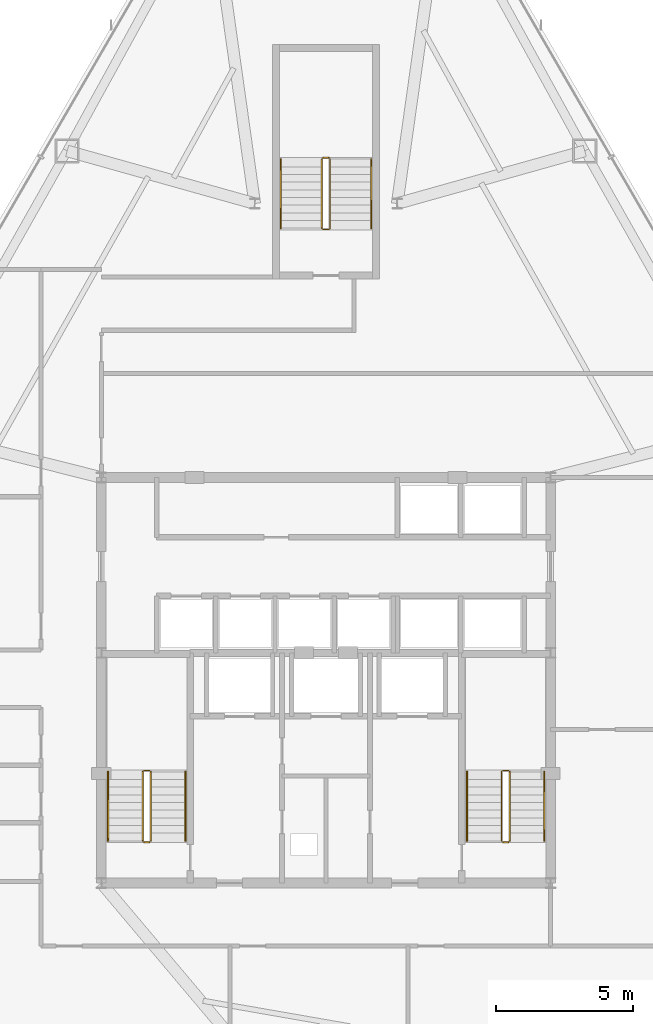
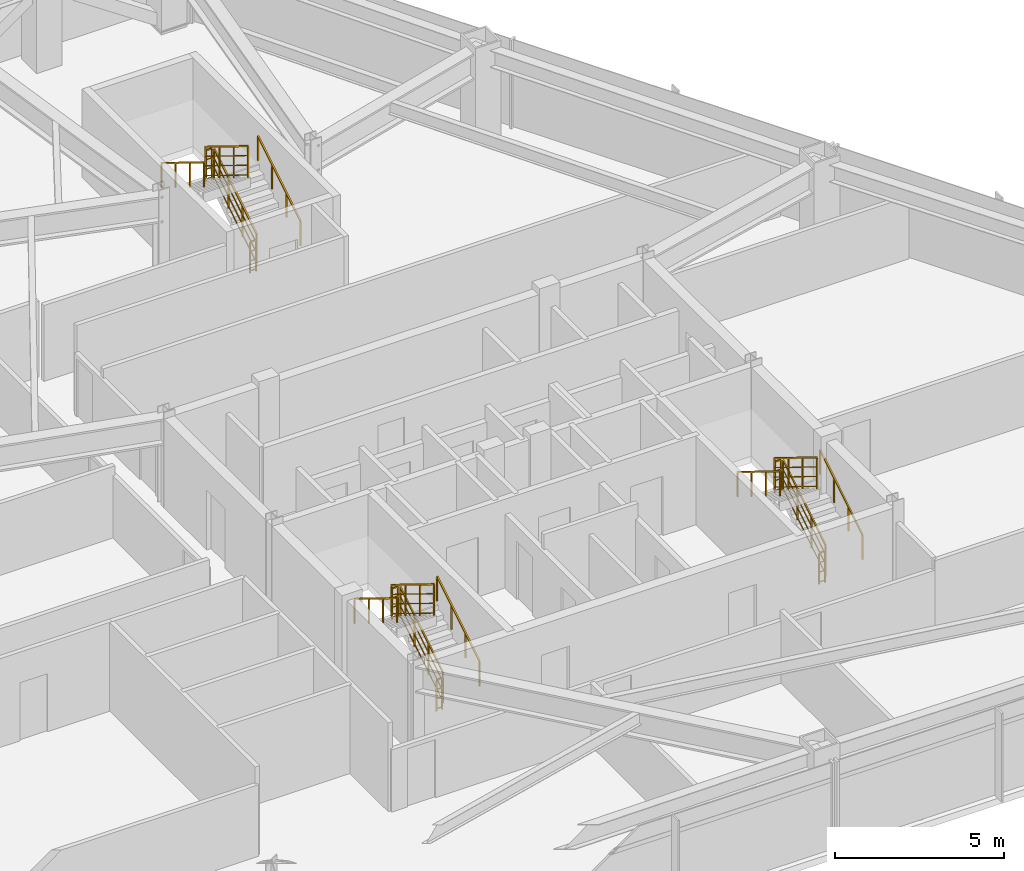
# One storey, part 12 of 12: 18 railings.
"""IFC4 building model written with IfcOpenShell, lengths in metres."""

from ifc_helpers import new_model, si_unit, direction, frame, origin, origin_2d, place, context, subcontext, project, spatial, rectangle, extrude, material, type_object, element, save


model = new_model("IFC4")

# Units and contexts
model_context = context("Model", 3, precision=1e-05, world=origin(), true_north=direction((0.0, 1.0)))
body_context = subcontext(model_context, "Body", "Model", "MODEL_VIEW")
ifc_project = project(units=[si_unit("LENGTHUNIT", "METRE"), si_unit("AREAUNIT", "SQUARE_METRE"), si_unit("VOLUMEUNIT", "CUBIC_METRE"), si_unit("PLANEANGLEUNIT", "RADIAN"), si_unit("MASSUNIT", "GRAM", prefix="KILO")], contexts=[model_context])

# Site, building, storey
site_placement = place(None, origin())
site = spatial("IfcSite", under=ifc_project, at=site_placement, CompositionType="ELEMENT")
building_placement = place(site_placement, origin())
building = spatial("IfcBuilding", under=site, at=building_placement, Name="Varakhsha Concourse Tower", CompositionType="ELEMENT")
storey_placement = place(building_placement, frame((0.0, 0.0, 119.449951171875)))
storey = spatial("IfcBuildingStorey", under=building, at=storey_placement, Name="L34", CompositionType="ELEMENT", Elevation=119.449951171875)

# Railings
ifc_material = material(Name="Brushed Austenitic Stainless Steel AISI 316", Category="steel")
railing_type_1 = type_object("IfcRailingType", Name="RL-STAIR-GUARD-1100", PredefinedType="GUARDRAIL", material=ifc_material)
railing_1_placement = place(storey_placement, frame((33.610107421875, 17.93994140625, 0.172607421875)))
element("IfcRailing", 1, at=railing_1_placement, inside=storey, type_object=railing_type_1, Name="L34 ST1 stair guard 1", PredefinedType="GUARDRAIL", context=body_context, shape_type="SweptSolid", body=[
    extrude(rectangle(XDim=0.048095703125, YDim=0.048095703125, at=origin_2d()), frame((0.0, 0.0, 1.1259765625), z_axis=(0.0, 0.851400495292, 0.524516154772), x_axis=(-1.0, 0.0, 0.0)), (0.0, 0.0, 1.0), 2.9599609375),
    extrude(rectangle(XDim=0.028076171875, YDim=0.028076171875, at=origin_2d()), frame((0.0, 0.0, 0.080078125), z_axis=(0.0, 0.851400495292, 0.524516154772), x_axis=(-1.0, 0.0, 0.0)), (0.0, 0.0, 1.0), 2.9599609375),
    extrude(rectangle(XDim=0.028076171875, YDim=0.028076171875, at=origin_2d()), frame((0.0, 0.0, 0.43701171875), z_axis=(0.0, 0.851400495292, 0.524516154772), x_axis=(-1.0, 0.0, 0.0)), (0.0, 0.0, 1.0), 2.9599609375),
    extrude(rectangle(XDim=0.028076171875, YDim=0.028076171875, at=origin_2d()), frame((0.0, 0.0, 0.781982421875), z_axis=(0.0, 0.851400495292, 0.524516154772), x_axis=(-1.0, 0.0, 0.0)), (0.0, 0.0, 1.0), 2.9599609375),
    extrude(rectangle(XDim=0.0419921875, YDim=0.0419921875, at=origin_2d()), origin(), (0.0, 0.0, 1.0), 1.101806640625),
    extrude(rectangle(XDim=0.0419921875, YDim=0.0419921875, at=origin_2d()), frame((0.0, 0.840087890625, 0.517578125)), (0.0, 0.0, 1.0), 1.101806640625),
    extrude(rectangle(XDim=0.0419921875, YDim=0.0419921875, at=origin_2d()), frame((0.0, 1.679931640625, 1.034912109375)), (0.0, 0.0, 1.0), 1.101806640625),
    extrude(rectangle(XDim=0.0419921875, YDim=0.0419921875, at=origin_2d()), frame((0.0, 2.52001953125, 1.552490234375)), (0.0, 0.0, 1.0), 1.101806640625),
])
railing_2_placement = place(storey_placement, frame((33.56005859375, 20.510009765625, 1.72509765625)))
element("IfcRailing", 2, at=railing_2_placement, inside=storey, type_object=railing_type_1, Name="L34 ST1 stair guard 2", PredefinedType="GUARDRAIL", context=body_context, shape_type="SweptSolid", body=[
    extrude(rectangle(XDim=0.048095703125, YDim=0.048095703125, at=origin_2d()), frame((0.0, 0.0, 1.1259765625), z_axis=(-1.0, 0.0, 0.0), x_axis=(0.0, -1.0, 0.0)), (0.0, 0.0, 1.0), 0.199951171875),
    extrude(rectangle(XDim=0.028076171875, YDim=0.028076171875, at=origin_2d()), frame((0.0, 0.0, 0.080078125), z_axis=(-1.0, 0.0, 0.0), x_axis=(0.0, -1.0, 0.0)), (0.0, 0.0, 1.0), 0.199951171875),
    extrude(rectangle(XDim=0.028076171875, YDim=0.028076171875, at=origin_2d()), frame((0.0, 0.0, 0.43701171875), z_axis=(-1.0, 0.0, 0.0), x_axis=(0.0, -1.0, 0.0)), (0.0, 0.0, 1.0), 0.199951171875),
    extrude(rectangle(XDim=0.028076171875, YDim=0.028076171875, at=origin_2d()), frame((0.0, 0.0, 0.781982421875), z_axis=(-1.0, 0.0, 0.0), x_axis=(0.0, -1.0, 0.0)), (0.0, 0.0, 1.0), 0.199951171875),
    extrude(rectangle(XDim=0.0419921875, YDim=0.0419921875, at=origin_2d()), origin(), (0.0, 0.0, 1.0), 1.101806640625),
    extrude(rectangle(XDim=0.0419921875, YDim=0.0419921875, at=origin_2d()), frame((-0.199951171875, 0.0, 0.0)), (0.0, 0.0, 1.0), 1.101806640625),
])
railing_3_placement = place(storey_placement, frame((33.31005859375, 20.4599609375, 1.8974609375)))
element("IfcRailing", 3, at=railing_3_placement, inside=storey, type_object=railing_type_1, Name="L34 ST1 stair guard 3", PredefinedType="GUARDRAIL", context=body_context, shape_type="SweptSolid", body=[
    extrude(rectangle(XDim=0.048095703125, YDim=0.048095703125, at=origin_2d()), frame((0.0, 0.0, 1.1259765625), z_axis=(0.0, -0.851400495292, 0.524516154772), x_axis=(1.0, 0.0, 0.0)), (0.0, 0.0, 1.0), 2.9599609375),
    extrude(rectangle(XDim=0.028076171875, YDim=0.028076171875, at=origin_2d()), frame((0.0, 0.0, 0.080078125), z_axis=(0.0, -0.851400495292, 0.524516154772), x_axis=(1.0, 0.0, 0.0)), (0.0, 0.0, 1.0), 2.9599609375),
    extrude(rectangle(XDim=0.028076171875, YDim=0.028076171875, at=origin_2d()), frame((0.0, 0.0, 0.43701171875), z_axis=(0.0, -0.851400495292, 0.524516154772), x_axis=(1.0, 0.0, 0.0)), (0.0, 0.0, 1.0), 2.9599609375),
    extrude(rectangle(XDim=0.028076171875, YDim=0.028076171875, at=origin_2d()), frame((0.0, 0.0, 0.781982421875), z_axis=(0.0, -0.851400495292, 0.524516154772), x_axis=(1.0, 0.0, 0.0)), (0.0, 0.0, 1.0), 2.9599609375),
    extrude(rectangle(XDim=0.0419921875, YDim=0.0419921875, at=origin_2d()), origin(), (0.0, 0.0, 1.0), 1.101806640625),
    extrude(rectangle(XDim=0.0419921875, YDim=0.0419921875, at=origin_2d()), frame((0.0, -0.840087890625, 0.517578125)), (0.0, 0.0, 1.0), 1.101806640625),
    extrude(rectangle(XDim=0.0419921875, YDim=0.0419921875, at=origin_2d()), frame((0.0, -1.679931640625, 1.034912109375)), (0.0, 0.0, 1.0), 1.101806640625),
    extrude(rectangle(XDim=0.0419921875, YDim=0.0419921875, at=origin_2d()), frame((0.0, -2.52001953125, 1.552490234375)), (0.0, 0.0, 1.0), 1.101806640625),
])
railing_4_placement = place(storey_placement, frame((33.56005859375, 17.889892578125, 0.0)))
element("IfcRailing", 4, at=railing_4_placement, inside=storey, type_object=railing_type_1, Name="L34 ST1 stair guard 4", PredefinedType="GUARDRAIL", context=body_context, shape_type="SweptSolid", body=[
    extrude(rectangle(XDim=0.048095703125, YDim=0.048095703125, at=origin_2d()), frame((0.0, 0.0, 1.1259765625), z_axis=(-1.0, 0.0, 0.0), x_axis=(0.0, -1.0, 0.0)), (0.0, 0.0, 1.0), 0.199951171875),
    extrude(rectangle(XDim=0.028076171875, YDim=0.028076171875, at=origin_2d()), frame((0.0, 0.0, 0.080078125), z_axis=(-1.0, 0.0, 0.0), x_axis=(0.0, -1.0, 0.0)), (0.0, 0.0, 1.0), 0.199951171875),
    extrude(rectangle(XDim=0.028076171875, YDim=0.028076171875, at=origin_2d()), frame((0.0, 0.0, 0.43701171875), z_axis=(-1.0, 0.0, 0.0), x_axis=(0.0, -1.0, 0.0)), (0.0, 0.0, 1.0), 0.199951171875),
    extrude(rectangle(XDim=0.028076171875, YDim=0.028076171875, at=origin_2d()), frame((0.0, 0.0, 0.781982421875), z_axis=(-1.0, 0.0, 0.0), x_axis=(0.0, -1.0, 0.0)), (0.0, 0.0, 1.0), 0.199951171875),
    extrude(rectangle(XDim=0.0419921875, YDim=0.0419921875, at=origin_2d()), origin(), (0.0, 0.0, 1.0), 1.101806640625),
    extrude(rectangle(XDim=0.0419921875, YDim=0.0419921875, at=origin_2d()), frame((-0.199951171875, 0.0, 0.0)), (0.0, 0.0, 1.0), 1.101806640625),
])
railing_5_placement = place(storey_placement, frame((46.7099609375, 17.93994140625, 0.172607421875)))
element("IfcRailing", 5, at=railing_5_placement, inside=storey, type_object=railing_type_1, Name="L34 ST2 stair guard 1", PredefinedType="GUARDRAIL", context=body_context, shape_type="SweptSolid", body=[
    extrude(rectangle(XDim=0.048095703125, YDim=0.048095703125, at=origin_2d()), frame((0.0, 0.0, 1.1259765625), z_axis=(0.0, 0.851400495292, 0.524516154772), x_axis=(-1.0, 0.0, 0.0)), (0.0, 0.0, 1.0), 2.9599609375),
    extrude(rectangle(XDim=0.028076171875, YDim=0.028076171875, at=origin_2d()), frame((0.0, 0.0, 0.080078125), z_axis=(0.0, 0.851400495292, 0.524516154772), x_axis=(-1.0, 0.0, 0.0)), (0.0, 0.0, 1.0), 2.9599609375),
    extrude(rectangle(XDim=0.028076171875, YDim=0.028076171875, at=origin_2d()), frame((0.0, 0.0, 0.43701171875), z_axis=(0.0, 0.851400495292, 0.524516154772), x_axis=(-1.0, 0.0, 0.0)), (0.0, 0.0, 1.0), 2.9599609375),
    extrude(rectangle(XDim=0.028076171875, YDim=0.028076171875, at=origin_2d()), frame((0.0, 0.0, 0.781982421875), z_axis=(0.0, 0.851400495292, 0.524516154772), x_axis=(-1.0, 0.0, 0.0)), (0.0, 0.0, 1.0), 2.9599609375),
    extrude(rectangle(XDim=0.0419921875, YDim=0.0419921875, at=origin_2d()), origin(), (0.0, 0.0, 1.0), 1.101806640625),
    extrude(rectangle(XDim=0.0419921875, YDim=0.0419921875, at=origin_2d()), frame((0.0, 0.840087890625, 0.517578125)), (0.0, 0.0, 1.0), 1.101806640625),
    extrude(rectangle(XDim=0.0419921875, YDim=0.0419921875, at=origin_2d()), frame((0.0, 1.679931640625, 1.034912109375)), (0.0, 0.0, 1.0), 1.101806640625),
    extrude(rectangle(XDim=0.0419921875, YDim=0.0419921875, at=origin_2d()), frame((0.0, 2.52001953125, 1.552490234375)), (0.0, 0.0, 1.0), 1.101806640625),
])
railing_6_placement = place(storey_placement, frame((46.659912109375, 20.510009765625, 1.72509765625)))
element("IfcRailing", 6, at=railing_6_placement, inside=storey, type_object=railing_type_1, Name="L34 ST2 stair guard 2", PredefinedType="GUARDRAIL", context=body_context, shape_type="SweptSolid", body=[
    extrude(rectangle(XDim=0.048095703125, YDim=0.048095703125, at=origin_2d()), frame((0.0, 0.0, 1.1259765625), z_axis=(-1.0, 0.0, 0.0), x_axis=(0.0, -1.0, 0.0)), (0.0, 0.0, 1.0), 0.199951171875),
    extrude(rectangle(XDim=0.028076171875, YDim=0.028076171875, at=origin_2d()), frame((0.0, 0.0, 0.080078125), z_axis=(-1.0, 0.0, 0.0), x_axis=(0.0, -1.0, 0.0)), (0.0, 0.0, 1.0), 0.199951171875),
    extrude(rectangle(XDim=0.028076171875, YDim=0.028076171875, at=origin_2d()), frame((0.0, 0.0, 0.43701171875), z_axis=(-1.0, 0.0, 0.0), x_axis=(0.0, -1.0, 0.0)), (0.0, 0.0, 1.0), 0.199951171875),
    extrude(rectangle(XDim=0.028076171875, YDim=0.028076171875, at=origin_2d()), frame((0.0, 0.0, 0.781982421875), z_axis=(-1.0, 0.0, 0.0), x_axis=(0.0, -1.0, 0.0)), (0.0, 0.0, 1.0), 0.199951171875),
    extrude(rectangle(XDim=0.0419921875, YDim=0.0419921875, at=origin_2d()), origin(), (0.0, 0.0, 1.0), 1.101806640625),
    extrude(rectangle(XDim=0.0419921875, YDim=0.0419921875, at=origin_2d()), frame((-0.199951171875, 0.0, 0.0)), (0.0, 0.0, 1.0), 1.101806640625),
])
railing_7_placement = place(storey_placement, frame((46.409912109375, 20.4599609375, 1.8974609375)))
element("IfcRailing", 7, at=railing_7_placement, inside=storey, type_object=railing_type_1, Name="L34 ST2 stair guard 3", PredefinedType="GUARDRAIL", context=body_context, shape_type="SweptSolid", body=[
    extrude(rectangle(XDim=0.048095703125, YDim=0.048095703125, at=origin_2d()), frame((0.0, 0.0, 1.1259765625), z_axis=(0.0, -0.851400495292, 0.524516154772), x_axis=(1.0, 0.0, 0.0)), (0.0, 0.0, 1.0), 2.9599609375),
    extrude(rectangle(XDim=0.028076171875, YDim=0.028076171875, at=origin_2d()), frame((0.0, 0.0, 0.080078125), z_axis=(0.0, -0.851400495292, 0.524516154772), x_axis=(1.0, 0.0, 0.0)), (0.0, 0.0, 1.0), 2.9599609375),
    extrude(rectangle(XDim=0.028076171875, YDim=0.028076171875, at=origin_2d()), frame((0.0, 0.0, 0.43701171875), z_axis=(0.0, -0.851400495292, 0.524516154772), x_axis=(1.0, 0.0, 0.0)), (0.0, 0.0, 1.0), 2.9599609375),
    extrude(rectangle(XDim=0.028076171875, YDim=0.028076171875, at=origin_2d()), frame((0.0, 0.0, 0.781982421875), z_axis=(0.0, -0.851400495292, 0.524516154772), x_axis=(1.0, 0.0, 0.0)), (0.0, 0.0, 1.0), 2.9599609375),
    extrude(rectangle(XDim=0.0419921875, YDim=0.0419921875, at=origin_2d()), origin(), (0.0, 0.0, 1.0), 1.101806640625),
    extrude(rectangle(XDim=0.0419921875, YDim=0.0419921875, at=origin_2d()), frame((0.0, -0.840087890625, 0.517578125)), (0.0, 0.0, 1.0), 1.101806640625),
    extrude(rectangle(XDim=0.0419921875, YDim=0.0419921875, at=origin_2d()), frame((0.0, -1.679931640625, 1.034912109375)), (0.0, 0.0, 1.0), 1.101806640625),
    extrude(rectangle(XDim=0.0419921875, YDim=0.0419921875, at=origin_2d()), frame((0.0, -2.52001953125, 1.552490234375)), (0.0, 0.0, 1.0), 1.101806640625),
])
railing_8_placement = place(storey_placement, frame((46.659912109375, 17.889892578125, 0.0)))
element("IfcRailing", 8, at=railing_8_placement, inside=storey, type_object=railing_type_1, Name="L34 ST2 stair guard 4", PredefinedType="GUARDRAIL", context=body_context, shape_type="SweptSolid", body=[
    extrude(rectangle(XDim=0.048095703125, YDim=0.048095703125, at=origin_2d()), frame((0.0, 0.0, 1.1259765625), z_axis=(-1.0, 0.0, 0.0), x_axis=(0.0, -1.0, 0.0)), (0.0, 0.0, 1.0), 0.199951171875),
    extrude(rectangle(XDim=0.028076171875, YDim=0.028076171875, at=origin_2d()), frame((0.0, 0.0, 0.080078125), z_axis=(-1.0, 0.0, 0.0), x_axis=(0.0, -1.0, 0.0)), (0.0, 0.0, 1.0), 0.199951171875),
    extrude(rectangle(XDim=0.028076171875, YDim=0.028076171875, at=origin_2d()), frame((0.0, 0.0, 0.43701171875), z_axis=(-1.0, 0.0, 0.0), x_axis=(0.0, -1.0, 0.0)), (0.0, 0.0, 1.0), 0.199951171875),
    extrude(rectangle(XDim=0.028076171875, YDim=0.028076171875, at=origin_2d()), frame((0.0, 0.0, 0.781982421875), z_axis=(-1.0, 0.0, 0.0), x_axis=(0.0, -1.0, 0.0)), (0.0, 0.0, 1.0), 0.199951171875),
    extrude(rectangle(XDim=0.0419921875, YDim=0.0419921875, at=origin_2d()), origin(), (0.0, 0.0, 1.0), 1.101806640625),
    extrude(rectangle(XDim=0.0419921875, YDim=0.0419921875, at=origin_2d()), frame((-0.199951171875, 0.0, 0.0)), (0.0, 0.0, 1.0), 1.101806640625),
])
railing_9_placement = place(storey_placement, frame((40.14990234375, 40.300048828125, 0.172607421875)))
element("IfcRailing", 9, at=railing_9_placement, inside=storey, type_object=railing_type_1, Name="L34 ST5 stair guard 1", PredefinedType="GUARDRAIL", context=body_context, shape_type="SweptSolid", body=[
    extrude(rectangle(XDim=0.048095703125, YDim=0.048095703125, at=origin_2d()), frame((0.0, 0.0, 1.1259765625), z_axis=(0.0, 0.851400495292, 0.524516154772), x_axis=(-1.0, 0.0, 0.0)), (0.0, 0.0, 1.0), 2.9599609375),
    extrude(rectangle(XDim=0.028076171875, YDim=0.028076171875, at=origin_2d()), frame((0.0, 0.0, 0.080078125), z_axis=(0.0, 0.851400495292, 0.524516154772), x_axis=(-1.0, 0.0, 0.0)), (0.0, 0.0, 1.0), 2.9599609375),
    extrude(rectangle(XDim=0.028076171875, YDim=0.028076171875, at=origin_2d()), frame((0.0, 0.0, 0.43701171875), z_axis=(0.0, 0.851400495292, 0.524516154772), x_axis=(-1.0, 0.0, 0.0)), (0.0, 0.0, 1.0), 2.9599609375),
    extrude(rectangle(XDim=0.028076171875, YDim=0.028076171875, at=origin_2d()), frame((0.0, 0.0, 0.781982421875), z_axis=(0.0, 0.851400495292, 0.524516154772), x_axis=(-1.0, 0.0, 0.0)), (0.0, 0.0, 1.0), 2.9599609375),
    extrude(rectangle(XDim=0.0419921875, YDim=0.0419921875, at=origin_2d()), origin(), (0.0, 0.0, 1.0), 1.101806640625),
    extrude(rectangle(XDim=0.0419921875, YDim=0.0419921875, at=origin_2d()), frame((0.0, 0.840087890625, 0.517578125)), (0.0, 0.0, 1.0), 1.101806640625),
    extrude(rectangle(XDim=0.0419921875, YDim=0.0419921875, at=origin_2d()), frame((0.0, 1.679931640625, 1.034912109375)), (0.0, 0.0, 1.0), 1.101806640625),
    extrude(rectangle(XDim=0.0419921875, YDim=0.0419921875, at=origin_2d()), frame((0.0, 2.52001953125, 1.552490234375)), (0.0, 0.0, 1.0), 1.101806640625),
])
railing_10_placement = place(storey_placement, frame((40.10009765625, 42.8701171875, 1.72509765625)))
element("IfcRailing", 10, at=railing_10_placement, inside=storey, type_object=railing_type_1, Name="L34 ST5 stair guard 2", PredefinedType="GUARDRAIL", context=body_context, shape_type="SweptSolid", body=[
    extrude(rectangle(XDim=0.048095703125, YDim=0.048095703125, at=origin_2d()), frame((0.0, 0.0, 1.1259765625), z_axis=(-1.0, 0.0, 0.0), x_axis=(0.0, -1.0, 0.0)), (0.0, 0.0, 1.0), 0.2001953125),
    extrude(rectangle(XDim=0.028076171875, YDim=0.028076171875, at=origin_2d()), frame((0.0, 0.0, 0.080078125), z_axis=(-1.0, 0.0, 0.0), x_axis=(0.0, -1.0, 0.0)), (0.0, 0.0, 1.0), 0.2001953125),
    extrude(rectangle(XDim=0.028076171875, YDim=0.028076171875, at=origin_2d()), frame((0.0, 0.0, 0.43701171875), z_axis=(-1.0, 0.0, 0.0), x_axis=(0.0, -1.0, 0.0)), (0.0, 0.0, 1.0), 0.2001953125),
    extrude(rectangle(XDim=0.028076171875, YDim=0.028076171875, at=origin_2d()), frame((0.0, 0.0, 0.781982421875), z_axis=(-1.0, 0.0, 0.0), x_axis=(0.0, -1.0, 0.0)), (0.0, 0.0, 1.0), 0.2001953125),
    extrude(rectangle(XDim=0.0419921875, YDim=0.0419921875, at=origin_2d()), origin(), (0.0, 0.0, 1.0), 1.101806640625),
    extrude(rectangle(XDim=0.0419921875, YDim=0.0419921875, at=origin_2d()), frame((-0.2001953125, 0.0, 0.0)), (0.0, 0.0, 1.0), 1.101806640625),
])
railing_11_placement = place(storey_placement, frame((39.85009765625, 42.820068359375, 1.8974609375)))
element("IfcRailing", 11, at=railing_11_placement, inside=storey, type_object=railing_type_1, Name="L34 ST5 stair guard 3", PredefinedType="GUARDRAIL", context=body_context, shape_type="SweptSolid", body=[
    extrude(rectangle(XDim=0.048095703125, YDim=0.048095703125, at=origin_2d()), frame((0.0, 0.0, 1.1259765625), z_axis=(0.0, -0.851400495292, 0.524516154772), x_axis=(1.0, 0.0, 0.0)), (0.0, 0.0, 1.0), 2.9599609375),
    extrude(rectangle(XDim=0.028076171875, YDim=0.028076171875, at=origin_2d()), frame((0.0, 0.0, 0.080078125), z_axis=(0.0, -0.851400495292, 0.524516154772), x_axis=(1.0, 0.0, 0.0)), (0.0, 0.0, 1.0), 2.9599609375),
    extrude(rectangle(XDim=0.028076171875, YDim=0.028076171875, at=origin_2d()), frame((0.0, 0.0, 0.43701171875), z_axis=(0.0, -0.851400495292, 0.524516154772), x_axis=(1.0, 0.0, 0.0)), (0.0, 0.0, 1.0), 2.9599609375),
    extrude(rectangle(XDim=0.028076171875, YDim=0.028076171875, at=origin_2d()), frame((0.0, 0.0, 0.781982421875), z_axis=(0.0, -0.851400495292, 0.524516154772), x_axis=(1.0, 0.0, 0.0)), (0.0, 0.0, 1.0), 2.9599609375),
    extrude(rectangle(XDim=0.0419921875, YDim=0.0419921875, at=origin_2d()), origin(), (0.0, 0.0, 1.0), 1.101806640625),
    extrude(rectangle(XDim=0.0419921875, YDim=0.0419921875, at=origin_2d()), frame((0.0, -0.840087890625, 0.517578125)), (0.0, 0.0, 1.0), 1.101806640625),
    extrude(rectangle(XDim=0.0419921875, YDim=0.0419921875, at=origin_2d()), frame((0.0, -1.679931640625, 1.034912109375)), (0.0, 0.0, 1.0), 1.101806640625),
    extrude(rectangle(XDim=0.0419921875, YDim=0.0419921875, at=origin_2d()), frame((0.0, -2.52001953125, 1.552490234375)), (0.0, 0.0, 1.0), 1.101806640625),
])
railing_12_placement = place(storey_placement, frame((40.10009765625, 40.25, 0.0)))
element("IfcRailing", 12, at=railing_12_placement, inside=storey, type_object=railing_type_1, Name="L34 ST5 stair guard 4", PredefinedType="GUARDRAIL", context=body_context, shape_type="SweptSolid", body=[
    extrude(rectangle(XDim=0.048095703125, YDim=0.048095703125, at=origin_2d()), frame((0.0, 0.0, 1.1259765625), z_axis=(-1.0, 0.0, 0.0), x_axis=(0.0, -1.0, 0.0)), (0.0, 0.0, 1.0), 0.2001953125),
    extrude(rectangle(XDim=0.028076171875, YDim=0.028076171875, at=origin_2d()), frame((0.0, 0.0, 0.080078125), z_axis=(-1.0, 0.0, 0.0), x_axis=(0.0, -1.0, 0.0)), (0.0, 0.0, 1.0), 0.2001953125),
    extrude(rectangle(XDim=0.028076171875, YDim=0.028076171875, at=origin_2d()), frame((0.0, 0.0, 0.43701171875), z_axis=(-1.0, 0.0, 0.0), x_axis=(0.0, -1.0, 0.0)), (0.0, 0.0, 1.0), 0.2001953125),
    extrude(rectangle(XDim=0.028076171875, YDim=0.028076171875, at=origin_2d()), frame((0.0, 0.0, 0.781982421875), z_axis=(-1.0, 0.0, 0.0), x_axis=(0.0, -1.0, 0.0)), (0.0, 0.0, 1.0), 0.2001953125),
    extrude(rectangle(XDim=0.0419921875, YDim=0.0419921875, at=origin_2d()), origin(), (0.0, 0.0, 1.0), 1.101806640625),
    extrude(rectangle(XDim=0.0419921875, YDim=0.0419921875, at=origin_2d()), frame((-0.2001953125, 0.0, 0.0)), (0.0, 0.0, 1.0), 1.101806640625),
])
railing_type_2 = type_object("IfcRailingType", Name="RL-STAIR-RAIL-915", PredefinedType="HANDRAIL", material=ifc_material)
railing_13_placement = place(storey_placement, frame((34.8701171875, 17.93994140625, 0.344970703125)))
element("IfcRailing", 13, at=railing_13_placement, inside=storey, type_object=railing_type_2, Name="L34 ST1 stair handrail 1", PredefinedType="HANDRAIL", context=body_context, shape_type="SweptSolid", body=[
    extrude(rectangle(XDim=0.048095703125, YDim=0.048095703125, at=origin_2d()), frame((0.0, 0.0, 0.89111328125), z_axis=(0.0, 0.851400495292, 0.524516154772), x_axis=(-1.0, 0.0, 0.0)), (0.0, 0.0, 1.0), 2.9599609375),
    extrude(rectangle(XDim=0.0419921875, YDim=0.0419921875, at=origin_2d()), origin(), (0.0, 0.0, 1.0), 0.866943359375),
    extrude(rectangle(XDim=0.0419921875, YDim=0.0419921875, at=origin_2d()), frame((0.0, 0.840087890625, 0.517578125)), (0.0, 0.0, 1.0), 0.866943359375),
    extrude(rectangle(XDim=0.0419921875, YDim=0.0419921875, at=origin_2d()), frame((0.0, 1.679931640625, 1.034912109375)), (0.0, 0.0, 1.0), 0.866943359375),
    extrude(rectangle(XDim=0.0419921875, YDim=0.0419921875, at=origin_2d()), frame((0.0, 2.52001953125, 1.552490234375)), (0.0, 0.0, 1.0), 0.866943359375),
])
railing_14_placement = place(storey_placement, frame((32.050048828125, 20.4599609375, 2.070068359375)))
element("IfcRailing", 14, at=railing_14_placement, inside=storey, type_object=railing_type_2, Name="L34 ST1 stair handrail 2", PredefinedType="HANDRAIL", context=body_context, shape_type="SweptSolid", body=[
    extrude(rectangle(XDim=0.048095703125, YDim=0.048095703125, at=origin_2d()), frame((0.0, 0.0, 0.89111328125), z_axis=(0.0, -0.851400495292, 0.524516154772), x_axis=(1.0, 0.0, 0.0)), (0.0, 0.0, 1.0), 2.9599609375),
    extrude(rectangle(XDim=0.0419921875, YDim=0.0419921875, at=origin_2d()), origin(), (0.0, 0.0, 1.0), 0.866943359375),
    extrude(rectangle(XDim=0.0419921875, YDim=0.0419921875, at=origin_2d()), frame((0.0, -0.840087890625, 0.517578125)), (0.0, 0.0, 1.0), 0.866943359375),
    extrude(rectangle(XDim=0.0419921875, YDim=0.0419921875, at=origin_2d()), frame((0.0, -1.679931640625, 1.034912109375)), (0.0, 0.0, 1.0), 0.866943359375),
    extrude(rectangle(XDim=0.0419921875, YDim=0.0419921875, at=origin_2d()), frame((0.0, -2.52001953125, 1.552490234375)), (0.0, 0.0, 1.0), 0.866943359375),
])
railing_15_placement = place(storey_placement, frame((47.969970703125, 17.93994140625, 0.344970703125)))
element("IfcRailing", 15, at=railing_15_placement, inside=storey, type_object=railing_type_2, Name="L34 ST2 stair handrail 1", PredefinedType="HANDRAIL", context=body_context, shape_type="SweptSolid", body=[
    extrude(rectangle(XDim=0.048095703125, YDim=0.048095703125, at=origin_2d()), frame((0.0, 0.0, 0.89111328125), z_axis=(0.0, 0.851400495292, 0.524516154772), x_axis=(-1.0, 0.0, 0.0)), (0.0, 0.0, 1.0), 2.9599609375),
    extrude(rectangle(XDim=0.0419921875, YDim=0.0419921875, at=origin_2d()), origin(), (0.0, 0.0, 1.0), 0.866943359375),
    extrude(rectangle(XDim=0.0419921875, YDim=0.0419921875, at=origin_2d()), frame((0.0, 0.840087890625, 0.517578125)), (0.0, 0.0, 1.0), 0.866943359375),
    extrude(rectangle(XDim=0.0419921875, YDim=0.0419921875, at=origin_2d()), frame((0.0, 1.679931640625, 1.034912109375)), (0.0, 0.0, 1.0), 0.866943359375),
    extrude(rectangle(XDim=0.0419921875, YDim=0.0419921875, at=origin_2d()), frame((0.0, 2.52001953125, 1.552490234375)), (0.0, 0.0, 1.0), 0.866943359375),
])
railing_16_placement = place(storey_placement, frame((45.14990234375, 20.4599609375, 2.070068359375)))
element("IfcRailing", 16, at=railing_16_placement, inside=storey, type_object=railing_type_2, Name="L34 ST2 stair handrail 2", PredefinedType="HANDRAIL", context=body_context, shape_type="SweptSolid", body=[
    extrude(rectangle(XDim=0.048095703125, YDim=0.048095703125, at=origin_2d()), frame((0.0, 0.0, 0.89111328125), z_axis=(0.0, -0.851400495292, 0.524516154772), x_axis=(1.0, 0.0, 0.0)), (0.0, 0.0, 1.0), 2.9599609375),
    extrude(rectangle(XDim=0.0419921875, YDim=0.0419921875, at=origin_2d()), origin(), (0.0, 0.0, 1.0), 0.866943359375),
    extrude(rectangle(XDim=0.0419921875, YDim=0.0419921875, at=origin_2d()), frame((0.0, -0.840087890625, 0.517578125)), (0.0, 0.0, 1.0), 0.866943359375),
    extrude(rectangle(XDim=0.0419921875, YDim=0.0419921875, at=origin_2d()), frame((0.0, -1.679931640625, 1.034912109375)), (0.0, 0.0, 1.0), 0.866943359375),
    extrude(rectangle(XDim=0.0419921875, YDim=0.0419921875, at=origin_2d()), frame((0.0, -2.52001953125, 1.552490234375)), (0.0, 0.0, 1.0), 0.866943359375),
])
railing_17_placement = place(storey_placement, frame((41.64990234375, 40.300048828125, 0.344970703125)))
element("IfcRailing", 17, at=railing_17_placement, inside=storey, type_object=railing_type_2, Name="L34 ST5 stair handrail 1", PredefinedType="HANDRAIL", context=body_context, shape_type="SweptSolid", body=[
    extrude(rectangle(XDim=0.048095703125, YDim=0.048095703125, at=origin_2d()), frame((0.0, 0.0, 0.89111328125), z_axis=(0.0, 0.851400495292, 0.524516154772), x_axis=(-1.0, 0.0, 0.0)), (0.0, 0.0, 1.0), 2.9599609375),
    extrude(rectangle(XDim=0.0419921875, YDim=0.0419921875, at=origin_2d()), origin(), (0.0, 0.0, 1.0), 0.866943359375),
    extrude(rectangle(XDim=0.0419921875, YDim=0.0419921875, at=origin_2d()), frame((0.0, 0.840087890625, 0.517578125)), (0.0, 0.0, 1.0), 0.866943359375),
    extrude(rectangle(XDim=0.0419921875, YDim=0.0419921875, at=origin_2d()), frame((0.0, 1.679931640625, 1.034912109375)), (0.0, 0.0, 1.0), 0.866943359375),
    extrude(rectangle(XDim=0.0419921875, YDim=0.0419921875, at=origin_2d()), frame((0.0, 2.52001953125, 1.552490234375)), (0.0, 0.0, 1.0), 0.866943359375),
])
railing_18_placement = place(storey_placement, frame((38.35009765625, 42.820068359375, 2.070068359375)))
element("IfcRailing", 18, at=railing_18_placement, inside=storey, type_object=railing_type_2, Name="L34 ST5 stair handrail 2", PredefinedType="HANDRAIL", context=body_context, shape_type="SweptSolid", body=[
    extrude(rectangle(XDim=0.048095703125, YDim=0.048095703125, at=origin_2d()), frame((0.0, 0.0, 0.89111328125), z_axis=(0.0, -0.851400495292, 0.524516154772), x_axis=(1.0, 0.0, 0.0)), (0.0, 0.0, 1.0), 2.9599609375),
    extrude(rectangle(XDim=0.0419921875, YDim=0.0419921875, at=origin_2d()), origin(), (0.0, 0.0, 1.0), 0.866943359375),
    extrude(rectangle(XDim=0.0419921875, YDim=0.0419921875, at=origin_2d()), frame((0.0, -0.840087890625, 0.517578125)), (0.0, 0.0, 1.0), 0.866943359375),
    extrude(rectangle(XDim=0.0419921875, YDim=0.0419921875, at=origin_2d()), frame((0.0, -1.679931640625, 1.034912109375)), (0.0, 0.0, 1.0), 0.866943359375),
    extrude(rectangle(XDim=0.0419921875, YDim=0.0419921875, at=origin_2d()), frame((0.0, -2.52001953125, 1.552490234375)), (0.0, 0.0, 1.0), 0.866943359375),
])

save(model, "model.ifc")
